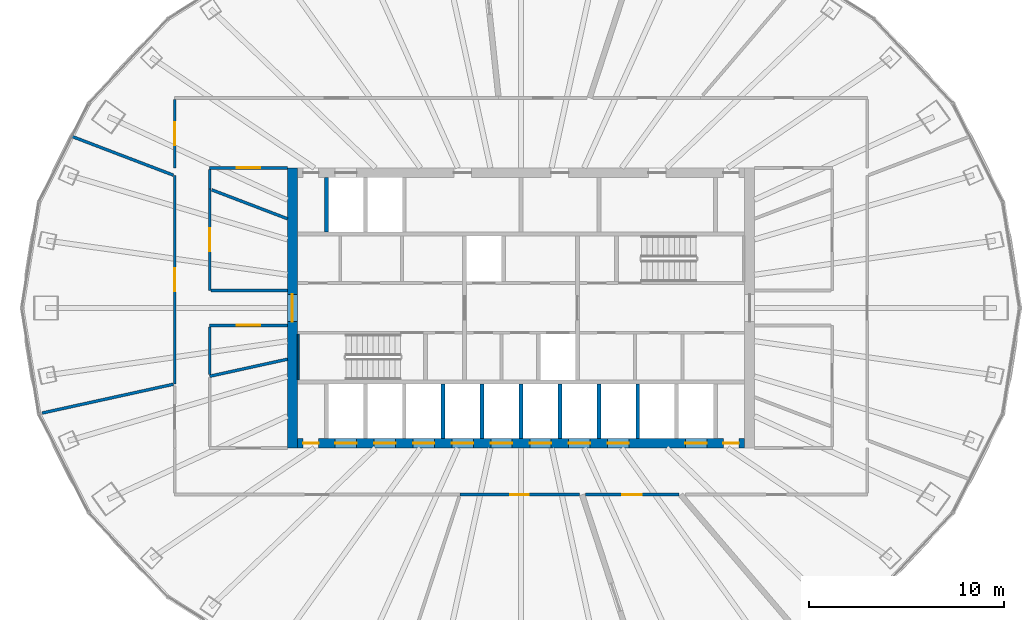
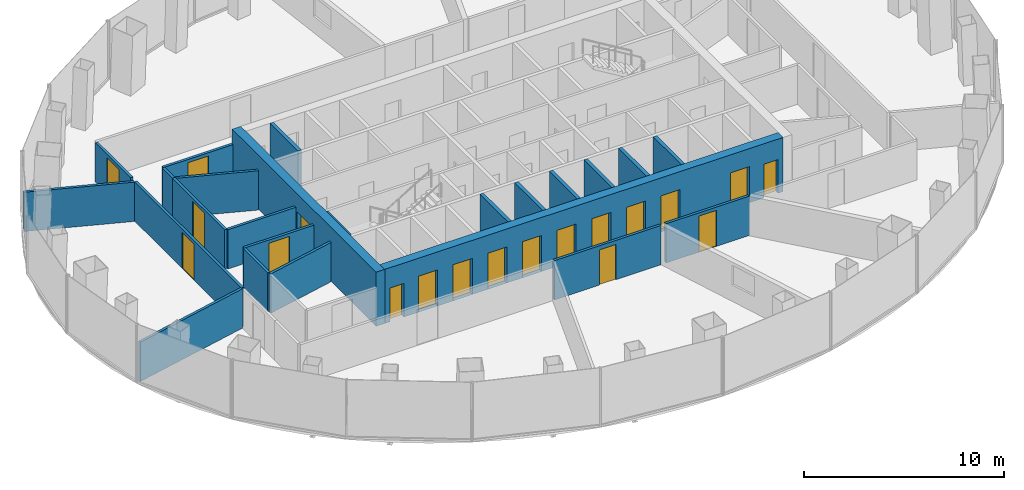
# One storey, part 8 of 12: 24 walls, 19 doors, 19 openings.
"""IFC4 building model written with IfcOpenShell, lengths in metres."""

from ifc_helpers import new_model, si_unit, direction, frame, frame_2d, origin, place, context, subcontext, project, spatial, rectangle, extrude, material, layer, layer_set, type_object, element, fill, save


model = new_model("IFC4")

# Units and contexts
model_context = context("Model", 3, precision=1e-05, world=origin(), true_north=direction((0.0, 1.0)))
body_context = subcontext(model_context, "Body", "Model", "MODEL_VIEW")
ifc_project = project(units=[si_unit("LENGTHUNIT", "METRE"), si_unit("AREAUNIT", "SQUARE_METRE"), si_unit("VOLUMEUNIT", "CUBIC_METRE"), si_unit("PLANEANGLEUNIT", "RADIAN"), si_unit("MASSUNIT", "GRAM", prefix="KILO")], contexts=[model_context])

# Site, building, storey
site_placement = place(None, origin())
site = spatial("IfcSite", under=ifc_project, at=site_placement, CompositionType="ELEMENT")
building_placement = place(site_placement, origin())
building = spatial("IfcBuilding", under=site, at=building_placement, Name="Siaravel Broadcast Tower", CompositionType="ELEMENT")
storey_placement = place(building_placement, frame((0.0, 0.0, 115.60009765625)))
storey = spatial("IfcBuildingStorey", under=building, at=storey_placement, Name="L27", CompositionType="ELEMENT", Elevation=115.60009765625)

# Wall, opening, door
ifc_material_1 = material(Name="Concrete C60/75", Category="concrete")
ifc_layer_1 = layer(ifc_material_1, 0.5)
ifc_layer_set_1 = layer_set([ifc_layer_1], Name="Concrete C60/75")
wall_type_1 = type_object("IfcWallType", Name="Core wall 500", PredefinedType="SHEAR", material=ifc_layer_set_1)
wall_1_placement = place(storey_placement, frame((-11.75, -7.199951171875, 0.0), z_axis=(0.0, 0.0, 1.0), x_axis=(0.0, 1.0, 0.0)))
wall_1 = element("IfcWall", 1, at=wall_1_placement, inside=storey, type_object=wall_type_1, Name="L27 core wall OW", PredefinedType="SHEAR", context=body_context, shape_type="SweptSolid", body=[
    extrude(rectangle(XDim=14.39990234375, YDim=0.5, at=frame_2d((7.199951171875, 0.0))), origin(), (0.0, 0.0, 1.0), 3.2998046875),
])
opening_1_placement = place(wall_1_placement, frame((6.5, 0.0, 0.0)))
opening_1 = element("IfcOpeningElement", 2, at=opening_1_placement, cuts=wall_1, Name="Opening L27-DX-W", PredefinedType="OPENING", context=body_context, shape_type="SweptSolid", body=[
    extrude(rectangle(XDim=1.39990234375, YDim=2.199951171875, at=frame_2d((0.699951171875, 1.10009765625))), frame((0.0, 0.260009765625, 0.0), z_axis=(0.0, -1.0, 0.0), x_axis=(1.0, 0.0, 0.0)), (0.0, 0.0, 1.0), 0.52001953125),
])
ifc_material_2 = material(Name="Steel", Category="steel")
door_type_1 = type_object("IfcDoorType", Name="Core exit door 1400", OperationType="DOUBLE_DOOR_SINGLE_SWING", PredefinedType="DOOR", material=ifc_material_2)
door_1_placement = place(opening_1_placement, origin())
door_1 = element("IfcDoor", 3, at=door_1_placement, inside=storey, type_object=door_type_1, Name="L27 door DX-W", OperationType="DOUBLE_DOOR_SINGLE_SWING", OverallHeight=2.199951171875, OverallWidth=1.39990234375, PredefinedType="DOOR", context=body_context, shape_type="SweptSolid", body=[
    extrude(rectangle(XDim=1.39990234375, YDim=2.199951171875, at=frame_2d((0.699951171875, 1.10009765625))), frame((0.0, 0.02490234375, 0.0), z_axis=(0.0, -1.0, 0.0), x_axis=(1.0, 0.0, 0.0)), (0.0, 0.0, 1.0), 0.050048828125),
])
fill(opening_1, door_1)

# Wall, openings, doors
wall_2_placement = place(storey_placement, frame((-11.5, -6.949951171875, 0.0), z_axis=(0.0, 0.0, 1.0), x_axis=(1.0, 0.0, 0.0)))
wall_2 = element("IfcWall", 4, at=wall_2_placement, inside=storey, type_object=wall_type_1, Name="L27 core wall OS", PredefinedType="SHEAR", context=body_context, shape_type="SweptSolid", body=[
    extrude(rectangle(XDim=23.0, YDim=0.5, at=frame_2d((11.5, 0.0))), origin(), (0.0, 0.0, 1.0), 3.2998046875),
])
opening_2_placement = place(wall_2_placement, frame((1.949951171875, 0.0, 0.0)))
opening_2 = element("IfcOpeningElement", 5, at=opening_2_placement, cuts=wall_2, Name="Opening LD-LP1-L27", PredefinedType="OPENING", context=body_context, shape_type="SweptSolid", body=[
    extrude(rectangle(XDim=1.10009765625, YDim=2.199951171875, at=frame_2d((0.550048828125, 1.10009765625))), frame((0.0, 0.260009765625, 0.0), z_axis=(0.0, -1.0, 0.0), x_axis=(1.0, 0.0, 0.0)), (0.0, 0.0, 1.0), 0.52001953125),
])
opening_3_placement = place(wall_2_placement, frame((3.949951171875, 0.0, 0.0)))
opening_3 = element("IfcOpeningElement", 6, at=opening_3_placement, cuts=wall_2, Name="Opening LD-LP2-L27", PredefinedType="OPENING", context=body_context, shape_type="SweptSolid", body=[
    extrude(rectangle(XDim=1.10009765625, YDim=2.199951171875, at=frame_2d((0.550048828125, 1.10009765625))), frame((0.0, 0.260009765625, 0.0), z_axis=(0.0, -1.0, 0.0), x_axis=(1.0, 0.0, 0.0)), (0.0, 0.0, 1.0), 0.52001953125),
])
opening_4_placement = place(wall_2_placement, frame((5.949951171875, 0.0, 0.0)))
opening_4 = element("IfcOpeningElement", 7, at=opening_4_placement, cuts=wall_2, Name="Opening LD-LP3-L27", PredefinedType="OPENING", context=body_context, shape_type="SweptSolid", body=[
    extrude(rectangle(XDim=1.10009765625, YDim=2.199951171875, at=frame_2d((0.550048828125, 1.10009765625))), frame((0.0, 0.260009765625, 0.0), z_axis=(0.0, -1.0, 0.0), x_axis=(1.0, 0.0, 0.0)), (0.0, 0.0, 1.0), 0.52001953125),
])
opening_5_placement = place(wall_2_placement, frame((7.949951171875, 0.0, 0.0)))
opening_5 = element("IfcOpeningElement", 8, at=opening_5_placement, cuts=wall_2, Name="Opening LD-LP4-L27", PredefinedType="OPENING", context=body_context, shape_type="SweptSolid", body=[
    extrude(rectangle(XDim=1.10009765625, YDim=2.199951171875, at=frame_2d((0.550048828125, 1.10009765625))), frame((0.0, 0.260009765625, 0.0), z_axis=(0.0, -1.0, 0.0), x_axis=(1.0, 0.0, 0.0)), (0.0, 0.0, 1.0), 0.52001953125),
])
opening_6_placement = place(wall_2_placement, frame((9.949951171875, 0.0, 0.0)))
opening_6 = element("IfcOpeningElement", 9, at=opening_6_placement, cuts=wall_2, Name="Opening LD-LP5-L27", PredefinedType="OPENING", context=body_context, shape_type="SweptSolid", body=[
    extrude(rectangle(XDim=1.10009765625, YDim=2.199951171875, at=frame_2d((0.550048828125, 1.10009765625))), frame((0.0, 0.260009765625, 0.0), z_axis=(0.0, -1.0, 0.0), x_axis=(1.0, 0.0, 0.0)), (0.0, 0.0, 1.0), 0.52001953125),
])
opening_7_placement = place(wall_2_placement, frame((11.949951171875, 0.0, 0.0)))
opening_7 = element("IfcOpeningElement", 10, at=opening_7_placement, cuts=wall_2, Name="Opening LD-LP6-L27", PredefinedType="OPENING", context=body_context, shape_type="SweptSolid", body=[
    extrude(rectangle(XDim=1.10009765625, YDim=2.199951171875, at=frame_2d((0.550048828125, 1.10009765625))), frame((0.0, 0.260009765625, 0.0), z_axis=(0.0, -1.0, 0.0), x_axis=(1.0, 0.0, 0.0)), (0.0, 0.0, 1.0), 0.52001953125),
])
opening_8_placement = place(wall_2_placement, frame((13.949951171875, 0.0, 0.0)))
opening_8 = element("IfcOpeningElement", 11, at=opening_8_placement, cuts=wall_2, Name="Opening LD-LP7-L27", PredefinedType="OPENING", context=body_context, shape_type="SweptSolid", body=[
    extrude(rectangle(XDim=1.10009765625, YDim=2.199951171875, at=frame_2d((0.550048828125, 1.10009765625))), frame((0.0, 0.260009765625, 0.0), z_axis=(0.0, -1.0, 0.0), x_axis=(1.0, 0.0, 0.0)), (0.0, 0.0, 1.0), 0.52001953125),
])
opening_9_placement = place(wall_2_placement, frame((15.949951171875, 0.0, 0.0)))
opening_9 = element("IfcOpeningElement", 12, at=opening_9_placement, cuts=wall_2, Name="Opening LD-LP8-L27", PredefinedType="OPENING", context=body_context, shape_type="SweptSolid", body=[
    extrude(rectangle(XDim=1.10009765625, YDim=2.199951171875, at=frame_2d((0.550048828125, 1.10009765625))), frame((0.0, 0.260009765625, 0.0), z_axis=(0.0, -1.0, 0.0), x_axis=(1.0, 0.0, 0.0)), (0.0, 0.0, 1.0), 0.52001953125),
])
opening_10_placement = place(wall_2_placement, frame((19.949951171875, 0.0, 0.0)))
opening_10 = element("IfcOpeningElement", 13, at=opening_10_placement, cuts=wall_2, Name="Opening LD-SV1-L27", PredefinedType="OPENING", context=body_context, shape_type="SweptSolid", body=[
    extrude(rectangle(XDim=1.10009765625, YDim=2.199951171875, at=frame_2d((0.550048828125, 1.10009765625))), frame((0.0, 0.260009765625, 0.0), z_axis=(0.0, -1.0, 0.0), x_axis=(1.0, 0.0, 0.0)), (0.0, 0.0, 1.0), 0.52001953125),
])
opening_11_placement = place(wall_2_placement, frame((0.300048828125, 0.0, 0.0)))
opening_11 = element("IfcOpeningElement", 14, at=opening_11_placement, cuts=wall_2, Name="Opening L27-DRSW", PredefinedType="OPENING", context=body_context, shape_type="SweptSolid", body=[
    extrude(rectangle(XDim=0.800048828125, YDim=2.050048828125, at=frame_2d((0.39990234375, 1.02490234375))), frame((0.0, 0.260009765625, 0.0), z_axis=(0.0, -1.0, 0.0), x_axis=(1.0, 0.0, 0.0)), (0.0, 0.0, 1.0), 0.52001953125),
])
opening_12_placement = place(wall_2_placement, frame((21.89990234375, 0.0, 0.0)))
opening_12 = element("IfcOpeningElement", 15, at=opening_12_placement, cuts=wall_2, Name="Opening L27-DRSE", PredefinedType="OPENING", context=body_context, shape_type="SweptSolid", body=[
    extrude(rectangle(XDim=0.800048828125, YDim=2.050048828125, at=frame_2d((0.39990234375, 1.02490234375))), frame((0.0, 0.260009765625, 0.0), z_axis=(0.0, -1.0, 0.0), x_axis=(1.0, 0.0, 0.0)), (0.0, 0.0, 1.0), 0.52001953125),
])
ifc_material_3 = material(Name="Stainless steel 316L", Category="steel")
door_type_2 = type_object("IfcDoorType", Name="Lift landing door 1100", OperationType="DOUBLE_DOOR_SLIDING", PredefinedType="DOOR", material=ifc_material_3)
door_2_placement = place(opening_2_placement, origin())
door_2 = element("IfcDoor", 16, at=door_2_placement, inside=storey, type_object=door_type_2, Name="Landing door LP1 L27", OperationType="DOUBLE_DOOR_SLIDING", OverallHeight=2.199951171875, OverallWidth=1.10009765625, PredefinedType="DOOR", context=body_context, shape_type="SweptSolid", body=[
    extrude(rectangle(XDim=1.10009765625, YDim=2.199951171875, at=frame_2d((0.550048828125, 1.10009765625))), frame((0.0, 0.02490234375, 0.0), z_axis=(0.0, -1.0, 0.0), x_axis=(1.0, 0.0, 0.0)), (0.0, 0.0, 1.0), 0.050048828125),
])
fill(opening_2, door_2)
door_3_placement = place(opening_3_placement, origin())
door_3 = element("IfcDoor", 17, at=door_3_placement, inside=storey, type_object=door_type_2, Name="Landing door LP2 L27", OperationType="DOUBLE_DOOR_SLIDING", OverallHeight=2.199951171875, OverallWidth=1.10009765625, PredefinedType="DOOR", context=body_context, shape_type="SweptSolid", body=[
    extrude(rectangle(XDim=1.10009765625, YDim=2.199951171875, at=frame_2d((0.550048828125, 1.10009765625))), frame((0.0, 0.02490234375, 0.0), z_axis=(0.0, -1.0, 0.0), x_axis=(1.0, 0.0, 0.0)), (0.0, 0.0, 1.0), 0.050048828125),
])
fill(opening_3, door_3)
door_4_placement = place(opening_4_placement, origin())
door_4 = element("IfcDoor", 18, at=door_4_placement, inside=storey, type_object=door_type_2, Name="Landing door LP3 L27", OperationType="DOUBLE_DOOR_SLIDING", OverallHeight=2.199951171875, OverallWidth=1.10009765625, PredefinedType="DOOR", context=body_context, shape_type="SweptSolid", body=[
    extrude(rectangle(XDim=1.10009765625, YDim=2.199951171875, at=frame_2d((0.550048828125, 1.10009765625))), frame((0.0, 0.02490234375, 0.0), z_axis=(0.0, -1.0, 0.0), x_axis=(1.0, 0.0, 0.0)), (0.0, 0.0, 1.0), 0.050048828125),
])
fill(opening_4, door_4)
door_5_placement = place(opening_5_placement, origin())
door_5 = element("IfcDoor", 19, at=door_5_placement, inside=storey, type_object=door_type_2, Name="Landing door LP4 L27", OperationType="DOUBLE_DOOR_SLIDING", OverallHeight=2.199951171875, OverallWidth=1.10009765625, PredefinedType="DOOR", context=body_context, shape_type="SweptSolid", body=[
    extrude(rectangle(XDim=1.10009765625, YDim=2.199951171875, at=frame_2d((0.550048828125, 1.10009765625))), frame((0.0, 0.02490234375, 0.0), z_axis=(0.0, -1.0, 0.0), x_axis=(1.0, 0.0, 0.0)), (0.0, 0.0, 1.0), 0.050048828125),
])
fill(opening_5, door_5)
door_6_placement = place(opening_6_placement, origin())
door_6 = element("IfcDoor", 20, at=door_6_placement, inside=storey, type_object=door_type_2, Name="Landing door LP5 L27", OperationType="DOUBLE_DOOR_SLIDING", OverallHeight=2.199951171875, OverallWidth=1.10009765625, PredefinedType="DOOR", context=body_context, shape_type="SweptSolid", body=[
    extrude(rectangle(XDim=1.10009765625, YDim=2.199951171875, at=frame_2d((0.550048828125, 1.10009765625))), frame((0.0, 0.02490234375, 0.0), z_axis=(0.0, -1.0, 0.0), x_axis=(1.0, 0.0, 0.0)), (0.0, 0.0, 1.0), 0.050048828125),
])
fill(opening_6, door_6)
door_7_placement = place(opening_7_placement, origin())
door_7 = element("IfcDoor", 21, at=door_7_placement, inside=storey, type_object=door_type_2, Name="Landing door LP6 L27", OperationType="DOUBLE_DOOR_SLIDING", OverallHeight=2.199951171875, OverallWidth=1.10009765625, PredefinedType="DOOR", context=body_context, shape_type="SweptSolid", body=[
    extrude(rectangle(XDim=1.10009765625, YDim=2.199951171875, at=frame_2d((0.550048828125, 1.10009765625))), frame((0.0, 0.02490234375, 0.0), z_axis=(0.0, -1.0, 0.0), x_axis=(1.0, 0.0, 0.0)), (0.0, 0.0, 1.0), 0.050048828125),
])
fill(opening_7, door_7)
door_8_placement = place(opening_8_placement, origin())
door_8 = element("IfcDoor", 22, at=door_8_placement, inside=storey, type_object=door_type_2, Name="Landing door LP7 L27", OperationType="DOUBLE_DOOR_SLIDING", OverallHeight=2.199951171875, OverallWidth=1.10009765625, PredefinedType="DOOR", context=body_context, shape_type="SweptSolid", body=[
    extrude(rectangle(XDim=1.10009765625, YDim=2.199951171875, at=frame_2d((0.550048828125, 1.10009765625))), frame((0.0, 0.02490234375, 0.0), z_axis=(0.0, -1.0, 0.0), x_axis=(1.0, 0.0, 0.0)), (0.0, 0.0, 1.0), 0.050048828125),
])
fill(opening_8, door_8)
door_9_placement = place(opening_9_placement, origin())
door_9 = element("IfcDoor", 23, at=door_9_placement, inside=storey, type_object=door_type_2, Name="Landing door LP8 L27", OperationType="DOUBLE_DOOR_SLIDING", OverallHeight=2.199951171875, OverallWidth=1.10009765625, PredefinedType="DOOR", context=body_context, shape_type="SweptSolid", body=[
    extrude(rectangle(XDim=1.10009765625, YDim=2.199951171875, at=frame_2d((0.550048828125, 1.10009765625))), frame((0.0, 0.02490234375, 0.0), z_axis=(0.0, -1.0, 0.0), x_axis=(1.0, 0.0, 0.0)), (0.0, 0.0, 1.0), 0.050048828125),
])
fill(opening_9, door_9)
door_type_3 = type_object("IfcDoorType", Name="Riser door 800", OperationType="SINGLE_SWING_LEFT", PredefinedType="DOOR", material=ifc_material_2)
door_10_placement = place(opening_11_placement, origin())
door_10 = element("IfcDoor", 24, at=door_10_placement, inside=storey, type_object=door_type_3, Name="L27 door DRSW", OperationType="SINGLE_SWING_LEFT", OverallHeight=2.050048828125, OverallWidth=0.800048828125, PredefinedType="DOOR", context=body_context, shape_type="SweptSolid", body=[
    extrude(rectangle(XDim=0.800048828125, YDim=2.050048828125, at=frame_2d((0.39990234375, 1.02490234375))), frame((0.0, 0.02490234375, 0.0), z_axis=(0.0, -1.0, 0.0), x_axis=(1.0, 0.0, 0.0)), (0.0, 0.0, 1.0), 0.050048828125),
])
fill(opening_11, door_10)
door_11_placement = place(opening_12_placement, origin())
door_11 = element("IfcDoor", 25, at=door_11_placement, inside=storey, type_object=door_type_3, Name="L27 door DRSE", OperationType="SINGLE_SWING_LEFT", OverallHeight=2.050048828125, OverallWidth=0.800048828125, PredefinedType="DOOR", context=body_context, shape_type="SweptSolid", body=[
    extrude(rectangle(XDim=0.800048828125, YDim=2.050048828125, at=frame_2d((0.39990234375, 1.02490234375))), frame((0.0, 0.02490234375, 0.0), z_axis=(0.0, -1.0, 0.0), x_axis=(1.0, 0.0, 0.0)), (0.0, 0.0, 1.0), 0.050048828125),
])
fill(opening_12, door_11)
door_type_4 = type_object("IfcDoorType", Name="Service lift landing door 1100", OperationType="DOUBLE_DOOR_SLIDING", PredefinedType="DOOR", material=ifc_material_3)
door_12_placement = place(opening_10_placement, origin())
door_12 = element("IfcDoor", 26, at=door_12_placement, inside=storey, type_object=door_type_4, Name="Landing door SV1 L27", OperationType="DOUBLE_DOOR_SLIDING", OverallHeight=2.199951171875, OverallWidth=1.10009765625, PredefinedType="DOOR", context=body_context, shape_type="SweptSolid", body=[
    extrude(rectangle(XDim=1.10009765625, YDim=2.199951171875, at=frame_2d((0.550048828125, 1.10009765625))), frame((0.0, 0.02490234375, 0.0), z_axis=(0.0, -1.0, 0.0), x_axis=(1.0, 0.0, 0.0)), (0.0, 0.0, 1.0), 0.050048828125),
])
fill(opening_10, door_12)

# Wall, opening, door
ifc_material_4 = material(Name="Gypsum board partition", Category="gypsum")
ifc_layer_2 = layer(ifc_material_4, 0.14990234375)
ifc_layer_set_2 = layer_set([ifc_layer_2], Name="Gypsum board partition")
wall_type_2 = type_object("IfcWallType", Name="Corridor wall 150", PredefinedType="PARTITIONING", material=ifc_layer_set_2)
wall_3_placement = place(storey_placement, frame((-17.800048828125, 6.798828125, 0.0), z_axis=(0.0, 0.0, 1.0), x_axis=(0.0, -1.0, 0.0)))
wall_3 = element("IfcWall", 27, at=wall_3_placement, inside=storey, type_object=wall_type_2, Name="L27 partition 6", PredefinedType="PARTITIONING", context=body_context, shape_type="SweptSolid", body=[
    extrude(rectangle(XDim=10.70556640625, YDim=0.14990234375, at=frame_2d((5.352783203125, 0.0))), origin(), (0.0, 0.0, 1.0), 2.39990234375),
])
opening_13_placement = place(wall_3_placement, frame((4.752685546875, 0.0, 0.0)))
opening_13 = element("IfcOpeningElement", 28, at=opening_13_placement, cuts=wall_3, Name="Opening L27-013", PredefinedType="OPENING", context=body_context, shape_type="SweptSolid", body=[
    extrude(rectangle(XDim=1.199951171875, YDim=2.199951171875, at=frame_2d((0.60009765625, 1.10009765625))), frame((0.0, 0.0849609375, 0.0), z_axis=(0.0, -1.0, 0.0), x_axis=(1.0, 0.0, 0.0)), (0.0, 0.0, 1.0), 0.169921875),
])
ifc_material_5 = material(Name="Timber veneer", Category="wood")
door_type_5 = type_object("IfcDoorType", Name="Office double door 1200", OperationType="DOUBLE_DOOR_SINGLE_SWING", PredefinedType="DOOR", material=ifc_material_5)
door_13_placement = place(opening_13_placement, origin())
door_13 = element("IfcDoor", 29, at=door_13_placement, inside=storey, type_object=door_type_5, Name="L27 door to Open plan production office", OperationType="DOUBLE_DOOR_SINGLE_SWING", OverallHeight=2.199951171875, OverallWidth=1.199951171875, PredefinedType="DOOR", context=body_context, shape_type="SweptSolid", body=[
    extrude(rectangle(XDim=1.199951171875, YDim=2.199951171875, at=frame_2d((0.60009765625, 1.10009765625))), frame((0.0, 0.02490234375, 0.0), z_axis=(0.0, -1.0, 0.0), x_axis=(1.0, 0.0, 0.0)), (0.0, 0.0, 1.0), 0.050048828125),
])
fill(opening_13, door_13)

wall_4_placement = place(storey_placement, frame((-3.139404296875, -9.60009765625, 0.0), z_axis=(0.0, 0.0, 1.0), x_axis=(1.0, 0.0, 0.0)))
wall_4 = element("IfcWall", 30, at=wall_4_placement, inside=storey, type_object=wall_type_2, Name="L27 partition 14", PredefinedType="PARTITIONING", context=body_context, shape_type="SweptSolid", body=[
    extrude(rectangle(XDim=6.144775390625, YDim=0.14990234375, at=frame_2d((3.072265625, 0.0))), origin(), (0.0, 0.0, 1.0), 2.39990234375),
])
opening_14_placement = place(wall_4_placement, frame((2.597412109375, 0.0, 0.0)))
opening_14 = element("IfcOpeningElement", 31, at=opening_14_placement, cuts=wall_4, Name="Opening L27-019", PredefinedType="OPENING", context=body_context, shape_type="SweptSolid", body=[
    extrude(rectangle(XDim=0.949951171875, YDim=2.14990234375, at=frame_2d((0.47509765625, 1.074951171875))), frame((0.0, 0.0849609375, 0.0), z_axis=(0.0, -1.0, 0.0), x_axis=(1.0, 0.0, 0.0)), (0.0, 0.0, 1.0), 0.169921875),
])
door_type_6 = type_object("IfcDoorType", Name="Office door 950", OperationType="SINGLE_SWING_LEFT", PredefinedType="DOOR", material=ifc_material_5)
door_14_placement = place(opening_14_placement, origin())
door_14 = element("IfcDoor", 32, at=door_14_placement, inside=storey, type_object=door_type_6, Name="L27 door to Design studio", OperationType="SINGLE_SWING_LEFT", OverallHeight=2.14990234375, OverallWidth=0.949951171875, PredefinedType="DOOR", context=body_context, shape_type="SweptSolid", body=[
    extrude(rectangle(XDim=0.949951171875, YDim=2.14990234375, at=frame_2d((0.47509765625, 1.074951171875))), frame((0.0, 0.02490234375, 0.0), z_axis=(0.0, -1.0, 0.0), x_axis=(1.0, 0.0, 0.0)), (0.0, 0.0, 1.0), 0.050048828125),
])
fill(opening_14, door_14)

wall_5_placement = place(storey_placement, frame((-16.0, 0.89990234375, 0.0), z_axis=(0.0, 0.0, 1.0), x_axis=(0.0, 1.0, 0.0)))
wall_5 = element("IfcWall", 33, at=wall_5_placement, inside=storey, type_object=wall_type_2, Name="L27 partition 19", PredefinedType="PARTITIONING", context=body_context, shape_type="SweptSolid", body=[
    extrude(rectangle(XDim=5.21142578125, YDim=0.14990234375, at=frame_2d((2.605712890625, 0.0))), origin(), (0.0, 0.0, 1.0), 2.39990234375),
])
opening_15_placement = place(wall_5_placement, frame((2.005615234375, 0.0, 0.0)))
opening_15 = element("IfcOpeningElement", 34, at=opening_15_placement, cuts=wall_5, Name="Opening L27-015", PredefinedType="OPENING", context=body_context, shape_type="SweptSolid", body=[
    extrude(rectangle(XDim=1.199951171875, YDim=2.199951171875, at=frame_2d((0.60009765625, 1.10009765625))), frame((0.0, 0.0849609375, 0.0), z_axis=(0.0, -1.0, 0.0), x_axis=(1.0, 0.0, 0.0)), (0.0, 0.0, 1.0), 0.169921875),
])
door_15_placement = place(opening_15_placement, origin())
door_15 = element("IfcDoor", 35, at=door_15_placement, inside=storey, type_object=door_type_5, Name="L27 door to Open plan production office", OperationType="DOUBLE_DOOR_SINGLE_SWING", OverallHeight=2.199951171875, OverallWidth=1.199951171875, PredefinedType="DOOR", context=body_context, shape_type="SweptSolid", body=[
    extrude(rectangle(XDim=1.199951171875, YDim=2.199951171875, at=frame_2d((0.60009765625, 1.10009765625))), frame((0.0, 0.02490234375, 0.0), z_axis=(0.0, -1.0, 0.0), x_axis=(1.0, 0.0, 0.0)), (0.0, 0.0, 1.0), 0.050048828125),
])
fill(opening_15, door_15)

wall_6_placement = place(storey_placement, frame((3.314208984375, -9.60009765625, 0.0), z_axis=(0.0, 0.0, 1.0), x_axis=(1.0, 0.0, 0.0)))
wall_6 = element("IfcWall", 36, at=wall_6_placement, inside=storey, type_object=wall_type_2, Name="L27 partition 22", PredefinedType="PARTITIONING", context=body_context, shape_type="SweptSolid", body=[
    extrude(rectangle(XDim=4.802490234375, YDim=0.14990234375, at=frame_2d((2.4013671875, 0.0))), origin(), (0.0, 0.0, 1.0), 2.39990234375),
])
opening_16_placement = place(wall_6_placement, frame((1.9013671875, 0.0, 0.0)))
opening_16 = element("IfcOpeningElement", 37, at=opening_16_placement, cuts=wall_6, Name="Opening L27-020", PredefinedType="OPENING", context=body_context, shape_type="SweptSolid", body=[
    extrude(rectangle(XDim=1.0, YDim=2.199951171875, at=frame_2d((0.5, 1.10009765625))), frame((0.0, 0.0849609375, 0.0), z_axis=(0.0, -1.0, 0.0), x_axis=(1.0, 0.0, 0.0)), (0.0, 0.0, 1.0), 0.169921875),
])
ifc_material_6 = material(Name="Acoustic timber and steel", Category="steel")
door_type_7 = type_object("IfcDoorType", Name="Acoustic door 1000", OperationType="SINGLE_SWING_LEFT", PredefinedType="DOOR", material=ifc_material_6)
door_16_placement = place(opening_16_placement, origin())
door_16 = element("IfcDoor", 38, at=door_16_placement, inside=storey, type_object=door_type_7, Name="L27 door to Viewing theatre", OperationType="SINGLE_SWING_RIGHT", OverallHeight=2.199951171875, OverallWidth=1.0, PredefinedType="DOOR", context=body_context, shape_type="SweptSolid", body=[
    extrude(rectangle(XDim=1.0, YDim=2.199951171875, at=frame_2d((0.5, 1.10009765625))), frame((0.0, 0.02490234375, 0.0), z_axis=(0.0, -1.0, 0.0), x_axis=(1.0, 0.0, 0.0)), (0.0, 0.0, 1.0), 0.050048828125),
])
fill(opening_16, door_16)

wall_7_placement = place(storey_placement, frame((-16.0, -0.89990234375, 0.0), z_axis=(0.0, 0.0, 1.0), x_axis=(1.0, 0.0, 0.0)))
wall_7 = element("IfcWall", 39, at=wall_7_placement, inside=storey, type_object=wall_type_2, Name="L27 partition 28", PredefinedType="PARTITIONING", context=body_context, shape_type="SweptSolid", body=[
    extrude(rectangle(XDim=4.0, YDim=0.14990234375, at=frame_2d((2.0, 0.0))), origin(), (0.0, 0.0, 1.0), 2.39990234375),
])
opening_17_placement = place(wall_7_placement, frame((1.39990234375, 0.0, 0.0)))
opening_17 = element("IfcOpeningElement", 40, at=opening_17_placement, cuts=wall_7, Name="Opening L27-014", PredefinedType="OPENING", context=body_context, shape_type="SweptSolid", body=[
    extrude(rectangle(XDim=1.199951171875, YDim=2.199951171875, at=frame_2d((0.60009765625, 1.10009765625))), frame((0.0, 0.0849609375, 0.0), z_axis=(0.0, -1.0, 0.0), x_axis=(1.0, 0.0, 0.0)), (0.0, 0.0, 1.0), 0.169921875),
])
door_17_placement = place(opening_17_placement, origin())
door_17 = element("IfcDoor", 41, at=door_17_placement, inside=storey, type_object=door_type_5, Name="L27 door to Open plan production office", OperationType="DOUBLE_DOOR_SINGLE_SWING", OverallHeight=2.199951171875, OverallWidth=1.199951171875, PredefinedType="DOOR", context=body_context, shape_type="SweptSolid", body=[
    extrude(rectangle(XDim=1.199951171875, YDim=2.199951171875, at=frame_2d((0.60009765625, 1.10009765625))), frame((0.0, 0.02490234375, 0.0), z_axis=(0.0, -1.0, 0.0), x_axis=(1.0, 0.0, 0.0)), (0.0, 0.0, 1.0), 0.050048828125),
])
fill(opening_17, door_17)

wall_8_placement = place(storey_placement, frame((-16.0, 7.199951171875, 0.0), z_axis=(0.0, 0.0, 1.0), x_axis=(1.0, 0.0, 0.0)))
wall_8 = element("IfcWall", 42, at=wall_8_placement, inside=storey, type_object=wall_type_2, Name="L27 partition 29", PredefinedType="PARTITIONING", context=body_context, shape_type="SweptSolid", body=[
    extrude(rectangle(XDim=4.0, YDim=0.14990234375, at=frame_2d((2.0, 0.0))), origin(), (0.0, 0.0, 1.0), 2.39990234375),
])
opening_18_placement = place(wall_8_placement, frame((1.39990234375, 0.0, 0.0)))
opening_18 = element("IfcOpeningElement", 43, at=opening_18_placement, cuts=wall_8, Name="Opening L27-010", PredefinedType="OPENING", context=body_context, shape_type="SweptSolid", body=[
    extrude(rectangle(XDim=1.199951171875, YDim=2.199951171875, at=frame_2d((0.60009765625, 1.10009765625))), frame((0.0, 0.0849609375, 0.0), z_axis=(0.0, -1.0, 0.0), x_axis=(1.0, 0.0, 0.0)), (0.0, 0.0, 1.0), 0.169921875),
])
door_18_placement = place(opening_18_placement, origin())
door_18 = element("IfcDoor", 44, at=door_18_placement, inside=storey, type_object=door_type_5, Name="L27 door to Open plan production office", OperationType="DOUBLE_DOOR_SINGLE_SWING", OverallHeight=2.199951171875, OverallWidth=1.199951171875, PredefinedType="DOOR", context=body_context, shape_type="SweptSolid", body=[
    extrude(rectangle(XDim=1.199951171875, YDim=2.199951171875, at=frame_2d((0.60009765625, 1.10009765625))), frame((0.0, 0.02490234375, 0.0), z_axis=(0.0, -1.0, 0.0), x_axis=(1.0, 0.0, 0.0)), (0.0, 0.0, 1.0), 0.050048828125),
])
fill(opening_18, door_18)

# Wall
wall_9_placement = place(storey_placement, frame((-12.0, 0.89990234375, 0.0), z_axis=(0.0, 0.0, 1.0), x_axis=(-1.0, 0.0, 0.0)))
element("IfcWall", 45, at=wall_9_placement, inside=storey, type_object=wall_type_2, Name="L27 partition 31", PredefinedType="PARTITIONING", context=body_context, shape_type="SweptSolid", body=[
    extrude(rectangle(XDim=3.923095703125, YDim=0.14990234375, at=frame_2d((1.96142578125, 0.0))), origin(), (0.0, 0.0, 1.0), 2.39990234375),
])

# Wall, opening, door
wall_10_placement = place(storey_placement, frame((-17.800048828125, 10.722900390625, 0.0), z_axis=(0.0, 0.0, 1.0), x_axis=(0.0, -1.0, 0.0)))
wall_10 = element("IfcWall", 46, at=wall_10_placement, inside=storey, type_object=wall_type_2, Name="L27 partition 37", PredefinedType="PARTITIONING", context=body_context, shape_type="SweptSolid", body=[
    extrude(rectangle(XDim=3.534912109375, YDim=0.14990234375, at=frame_2d((1.767578125, 0.0))), origin(), (0.0, 0.0, 1.0), 2.39990234375),
])
opening_19_placement = place(wall_10_placement, frame((1.16748046875, 0.0, 0.0)))
opening_19 = element("IfcOpeningElement", 47, at=opening_19_placement, cuts=wall_10, Name="Opening L27-012", PredefinedType="OPENING", context=body_context, shape_type="SweptSolid", body=[
    extrude(rectangle(XDim=1.199951171875, YDim=2.199951171875, at=frame_2d((0.60009765625, 1.10009765625))), frame((0.0, 0.0849609375, 0.0), z_axis=(0.0, -1.0, 0.0), x_axis=(1.0, 0.0, 0.0)), (0.0, 0.0, 1.0), 0.169921875),
])
door_19_placement = place(opening_19_placement, origin())
door_19 = element("IfcDoor", 48, at=door_19_placement, inside=storey, type_object=door_type_5, Name="L27 door to Open plan production office", OperationType="DOUBLE_DOOR_SINGLE_SWING", OverallHeight=2.199951171875, OverallWidth=1.199951171875, PredefinedType="DOOR", context=body_context, shape_type="SweptSolid", body=[
    extrude(rectangle(XDim=1.199951171875, YDim=2.199951171875, at=frame_2d((0.60009765625, 1.10009765625))), frame((0.0, 0.02490234375, 0.0), z_axis=(0.0, -1.0, 0.0), x_axis=(1.0, 0.0, 0.0)), (0.0, 0.0, 1.0), 0.050048828125),
])
fill(opening_19, door_19)

# Walls
wall_11_placement = place(storey_placement, frame((-16.0, -3.41650390625, 0.0), z_axis=(0.0, 0.0, 1.0), x_axis=(0.0, 1.0, 0.0)))
element("IfcWall", 49, at=wall_11_placement, inside=storey, type_object=wall_type_2, Name="L27 partition 40", PredefinedType="PARTITIONING", context=body_context, shape_type="SweptSolid", body=[
    extrude(rectangle(XDim=2.439453125, YDim=0.14990234375, at=frame_2d((1.2197265625, 0.0))), origin(), (0.0, 0.0, 1.0), 2.39990234375),
])
wall_12_placement = place(storey_placement, frame((-16.0, 6.1123046875, 0.0), z_axis=(0.0, 0.0, 1.0), x_axis=(0.0, 1.0, 0.0)))
element("IfcWall", 50, at=wall_12_placement, inside=storey, type_object=wall_type_2, Name="L27 partition 43", PredefinedType="PARTITIONING", context=body_context, shape_type="SweptSolid", body=[
    extrude(rectangle(XDim=1.0107421875, YDim=0.14990234375, at=frame_2d((0.50537109375, 0.0))), origin(), (0.0, 0.0, 1.0), 2.39990234375),
])
ifc_layer_3 = layer(ifc_material_4, 0.14990234375)
ifc_layer_set_3 = layer_set([ifc_layer_3], Name="Gypsum board partition")
wall_type_3 = type_object("IfcWallType", Name="Room partition 150", PredefinedType="PARTITIONING", material=ifc_layer_set_3)
wall_13_placement = place(storey_placement, frame((-24.614501953125, -5.40234375, 0.0), z_axis=(0.0, 0.0, 1.0), x_axis=(0.97675139, 0.214375192, 0.0)))
element("IfcWall", 51, at=wall_13_placement, inside=storey, type_object=wall_type_3, Name="L27 partition 13", PredefinedType="PARTITIONING", context=body_context, shape_type="SweptSolid", body=[
    extrude(rectangle(XDim=6.9013671875, YDim=0.14990234375, at=frame_2d((3.45068359375, 0.0))), origin(), (0.0, 0.0, 1.0), 2.39990234375),
])
wall_14_placement = place(storey_placement, frame((-23.09375, 8.82080078125, 0.0), z_axis=(0.0, 0.0, 1.0), x_axis=(0.934174226, -0.356817201, 0.0)))
element("IfcWall", 52, at=wall_14_placement, inside=storey, type_object=wall_type_3, Name="L27 partition 16", PredefinedType="PARTITIONING", context=body_context, shape_type="SweptSolid", body=[
    extrude(rectangle(XDim=5.5947265625, YDim=0.14990234375, at=frame_2d((2.79736328125, 0.0))), origin(), (0.0, 0.0, 1.0), 2.39990234375),
])
wall_15_placement = place(storey_placement, frame((-15.896484375, 6.07177734375, 0.0), z_axis=(0.0, 0.0, 1.0), x_axis=(0.934175823, -0.356813021, 0.0)))
element("IfcWall", 53, at=wall_15_placement, inside=storey, type_object=wall_type_3, Name="L27 partition 24", PredefinedType="PARTITIONING", context=body_context, shape_type="SweptSolid", body=[
    extrude(rectangle(XDim=4.171142578125, YDim=0.14990234375, at=frame_2d((2.08544921875, 0.0))), origin(), (0.0, 0.0, 1.0), 2.39990234375),
])
wall_16_placement = place(storey_placement, frame((-16.0, -3.51171875, 0.0), z_axis=(0.0, 0.0, 1.0), x_axis=(0.976750433, 0.214379551, 0.0)))
element("IfcWall", 54, at=wall_16_placement, inside=storey, type_object=wall_type_3, Name="L27 partition 27", PredefinedType="PARTITIONING", context=body_context, shape_type="SweptSolid", body=[
    extrude(rectangle(XDim=4.09521484375, YDim=0.14990234375, at=frame_2d((2.047607421875, 0.0))), origin(), (0.0, 0.0, 1.0), 2.39990234375),
])
ifc_layer_4 = layer(ifc_material_1, 0.10009765625)
ifc_layer_set_4 = layer_set([ifc_layer_4], Name="Concrete C60/75")
wall_type_4 = type_object("IfcWallType", Name="Shaft wall 100", PredefinedType="SHEAR", material=ifc_layer_set_4)
wall_17_placement = place(storey_placement, frame((-11.449951171875, -3.699951171875, 0.0), z_axis=(0.0, 0.0, 1.0), x_axis=(0.0, 1.0, 0.0)))
element("IfcWall", 55, at=wall_17_placement, inside=storey, type_object=wall_type_4, Name="L27 core wall ST1W", PredefinedType="SHEAR", context=body_context, shape_type="SweptSolid", body=[
    extrude(rectangle(XDim=2.349853515625, YDim=0.10009765625, at=frame_2d((1.1748046875, 0.0))), origin(), (0.0, 0.0, 1.0), 3.2998046875),
])
ifc_layer_5 = layer(ifc_material_1, 0.199951171875)
ifc_layer_set_5 = layer_set([ifc_layer_5], Name="Concrete C60/75")
wall_type_5 = type_object("IfcWallType", Name="Shaft wall 200", PredefinedType="SHEAR", material=ifc_layer_set_5)
for number, where, z_axis, x_axis, name in (
    (56, (-4.0, -6.699951171875, 0.0), (0.0, 0.0, 1.0), (0.0, 1.0, 0.0), "L27 core wall SWS3"),
    (57, (-2.0, -6.699951171875, 0.0), (0.0, 0.0, 1.0), (0.0, 1.0, 0.0), "L27 core wall SWS4"),
    (58, (0.0, -6.699951171875, 0.0), (0.0, 0.0, 1.0), (0.0, 1.0, 0.0), "L27 core wall SWS5"),
    (59, (2.0, -6.699951171875, 0.0), (0.0, 0.0, 1.0), (0.0, 1.0, 0.0), "L27 core wall SWS6"),
    (60, (4.0, -6.699951171875, 0.0), (0.0, 0.0, 1.0), (0.0, 1.0, 0.0), "L27 core wall SWS7"),
    (61, (6.0, -6.699951171875, 0.0), (0.0, 0.0, 1.0), (0.0, 1.0, 0.0), "L27 core wall SWS8"),
    (62, (-10.0, 3.89990234375, 0.0), (0.0, 0.0, 1.0), (0.0, 1.0, 0.0), "L27 core wall SWN0"),
):
    element("IfcWall", number, at=place(storey_placement, frame(where, z_axis=z_axis, x_axis=x_axis)), inside=storey, type_object=wall_type_5, Name=name, PredefinedType="SHEAR", context=body_context, shape_type="SweptSolid", body=[
        extrude(rectangle(XDim=2.800048828125, YDim=0.199951171875, at=frame_2d((1.39990234375, 0.0))), origin(), (0.0, 0.0, 1.0), 3.2998046875),
    ])

save(model, "model.ifc")
